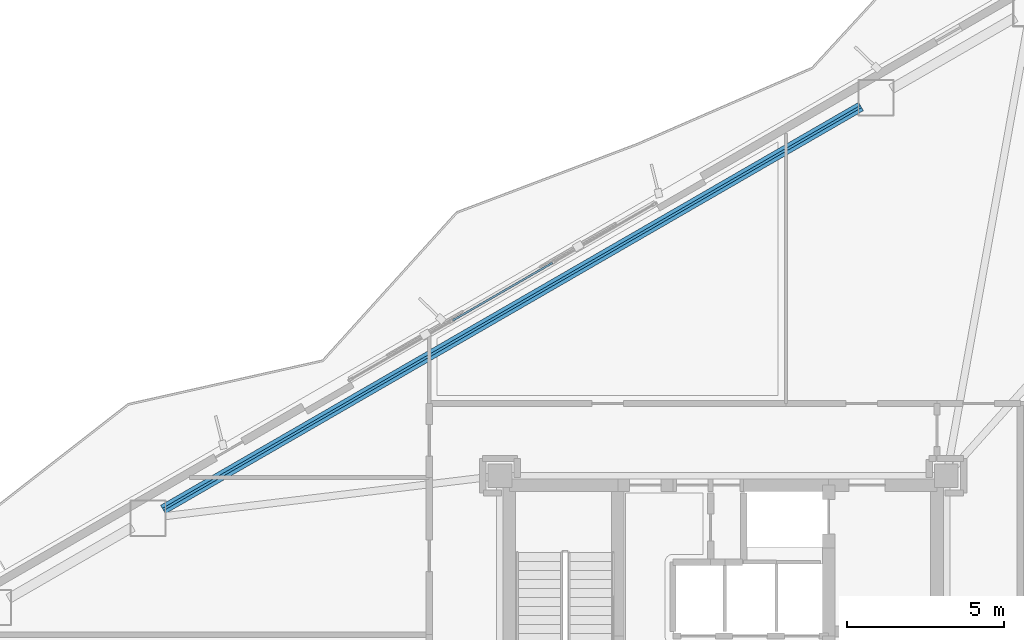
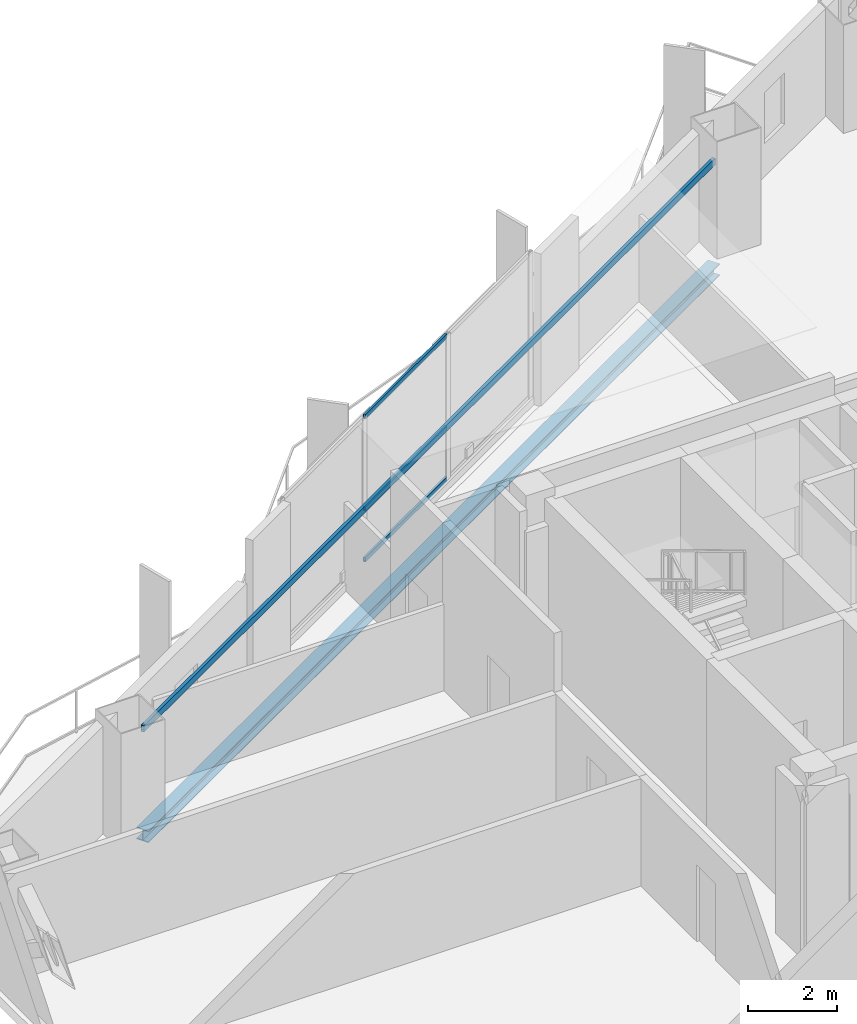
# One storey, part 11 of 20: 3 members, 2 beams, 1 element without a shape of its own.
"""IFC4 building model written with IfcOpenShell, lengths in metres."""

from ifc_helpers import new_model, si_unit, direction, frame, origin, origin_2d, place, context, subcontext, project, spatial, hollow_rectangle, i_section, extrude, material, layer, layer_set, material_profile, profile_set, type_object, element, aggregate, save


model = new_model("IFC4")

# Units and contexts
model_context = context("Model", 3, precision=1e-05, world=origin(), true_north=direction((0.0, 1.0)))
body_context = subcontext(model_context, "Body", "Model", "MODEL_VIEW")
ifc_project = project(units=[si_unit("LENGTHUNIT", "METRE"), si_unit("AREAUNIT", "SQUARE_METRE"), si_unit("VOLUMEUNIT", "CUBIC_METRE"), si_unit("PLANEANGLEUNIT", "RADIAN"), si_unit("MASSUNIT", "GRAM", prefix="KILO")], contexts=[model_context])

# Site, building, storey
site_placement = place(None, origin())
site = spatial("IfcSite", under=ifc_project, at=site_placement, CompositionType="ELEMENT")
building_placement = place(site_placement, origin())
building = spatial("IfcBuilding", under=site, at=building_placement, Name="Mersakhor Tower and Convention Hall", CompositionType="ELEMENT")
storey_placement = place(building_placement, frame((0.0, 0.0, 116.39990234375)))
storey = spatial("IfcBuildingStorey", under=building, at=storey_placement, Name="L32", CompositionType="ELEMENT", Elevation=116.39990234375)

# Beams
ifc_material_1 = material(Name="Steel S355", Category="steel")
ifc_material_profile_1 = material_profile(ifc_material_1, hollow_rectangle(XDim=0.080078125, YDim=0.179931640625, WallThickness=0.008056640625, at=origin_2d()), Name="RHS 180x80x8")
ifc_profile_set_1 = profile_set([ifc_material_profile_1], Name="Steel S355")
beam_type_1 = type_object("IfcBeamType", Name="BM-GRT-RHS180", PredefinedType="USERDEFINED", material=ifc_profile_set_1)
beam_1_placement = place(storey_placement, frame((11.18310546875, 31.976318359375, 2.47998046875), z_axis=(0.866022538643, 0.500004962538, 0.0), x_axis=(-0.500004962538, 0.866022538643, 0.0)))
element("IfcBeam", 1, at=beam_1_placement, inside=storey, type_object=beam_type_1, Name="L32 Facade Support Girt GRT-F1", ObjectType="GIRT", PredefinedType="USERDEFINED", context=body_context, shape_type="SweptSolid", body=[
    extrude(hollow_rectangle(XDim=0.080078125, YDim=0.179931640625, WallThickness=0.008056640625, at=origin_2d()), origin(), (0.0, 0.0, 1.0), 25.633544921875),
])
ifc_material_2 = material(Name="Steel S355", Category="steel")
ifc_material_profile_2 = material_profile(ifc_material_2, i_section(OverallWidth=0.30908203125, OverallDepth=0.320556640625, WebThickness=0.013916015625, FlangeThickness=0.021728515625, at=origin_2d()), Name="UC 305x305x137")
ifc_profile_set_2 = profile_set([ifc_material_profile_2], Name="Steel S355")
beam_type_2 = type_object("IfcBeamType", Name="BM-SPD-UC305", PredefinedType="SPANDREL", material=ifc_profile_set_2)
beam_2_placement = place(storey_placement, frame((11.18310546875, 31.976318359375, -0.440185546875), z_axis=(0.866022538643, 0.500004962538, 0.0), x_axis=(-0.500004962538, 0.866022538643, 0.0)))
element("IfcBeam", 2, at=beam_2_placement, inside=storey, type_object=beam_type_2, Name="L32 Perimeter Spandrel Beam SPB-02", PredefinedType="SPANDREL", context=body_context, shape_type="SweptSolid", body=[
    extrude(i_section(OverallWidth=0.30908203125, OverallDepth=0.320556640625, WebThickness=0.013916015625, FlangeThickness=0.021728515625, at=origin_2d()), origin(), (0.0, 0.0, 1.0), 25.633544921875),
])

# Curtain wall, members
ifc_material_3 = material(Name="Dark solar low-E aluminium curtain wall", Category="aluminium")
ifc_layer = layer(ifc_material_3, 0.199951171875)
ifc_layer_set = layer_set([ifc_layer], Name="Dark solar low-E aluminium curtain wall")
curtain_wall_type = type_object("IfcCurtainWallType", Name="CW-SYS-05", PredefinedType="USERDEFINED", material=ifc_layer_set)
curtain_wall_placement = place(storey_placement, origin())
curtain_wall = element("IfcCurtainWall", 3, at=curtain_wall_placement, inside=storey, type_object=curtain_wall_type, Name="L32 Dark-Glass Curtain Wall F1-B2", ObjectType="CURTAIN WALL", PredefinedType="USERDEFINED")
ifc_material_4 = material(Name="Anodised aluminium EN AW-6063 T6", Category="aluminium")
ifc_material_profile_3 = material_profile(ifc_material_4, hollow_rectangle(XDim=0.06005859375, YDim=0.1201171875, WallThickness=0.0048828125, at=origin_2d()), Name="RHS 120x60x5")
ifc_profile_set_3 = profile_set([ifc_material_profile_3], Name="Anodised aluminium EN AW-6063 T6")
member_type = type_object("IfcMemberType", Name="CWT-120x60", PredefinedType="USERDEFINED", material=ifc_profile_set_3)
member_1_placement = place(storey_placement, frame((20.396484375, 37.988525390625, 0.22998046875), z_axis=(0.866027983755, 0.499995531332, 0.0), x_axis=(-0.499995531332, 0.866027983755, 0.0)))
member_1 = element("IfcMember", 4, at=member_1_placement, type_object=member_type, Name="CW-05 transom 2.1", ObjectType="TRANSOM", PredefinedType="USERDEFINED", context=body_context, shape_type="SweptSolid", body=[
    extrude(hollow_rectangle(XDim=0.06005859375, YDim=0.1201171875, WallThickness=0.0048828125, at=origin_2d()), origin(), (0.0, 0.0, 1.0), 3.6630859375),
])
member_2_placement = place(storey_placement, frame((20.396484375, 37.988525390625, 1.6201171875), z_axis=(0.866027983755, 0.499995531332, 0.0), x_axis=(-0.499995531332, 0.866027983755, 0.0)))
member_2 = element("IfcMember", 5, at=member_2_placement, type_object=member_type, Name="CW-05 transom 2.2", ObjectType="TRANSOM", PredefinedType="USERDEFINED", context=body_context, shape_type="SweptSolid", body=[
    extrude(hollow_rectangle(XDim=0.06005859375, YDim=0.1201171875, WallThickness=0.0048828125, at=origin_2d()), origin(), (0.0, 0.0, 1.0), 3.6630859375),
])
member_3_placement = place(storey_placement, frame((20.396484375, 37.988525390625, 4.150146484375), z_axis=(0.866027983755, 0.499995531332, 0.0), x_axis=(-0.499995531332, 0.866027983755, 0.0)))
member_3 = element("IfcMember", 6, at=member_3_placement, type_object=member_type, Name="CW-05 transom 2.3", ObjectType="TRANSOM", PredefinedType="USERDEFINED", context=body_context, shape_type="SweptSolid", body=[
    extrude(hollow_rectangle(XDim=0.06005859375, YDim=0.1201171875, WallThickness=0.0048828125, at=origin_2d()), origin(), (0.0, 0.0, 1.0), 3.6630859375),
])
aggregate(curtain_wall, [member_1, member_2, member_3])

save(model, "model.ifc")
